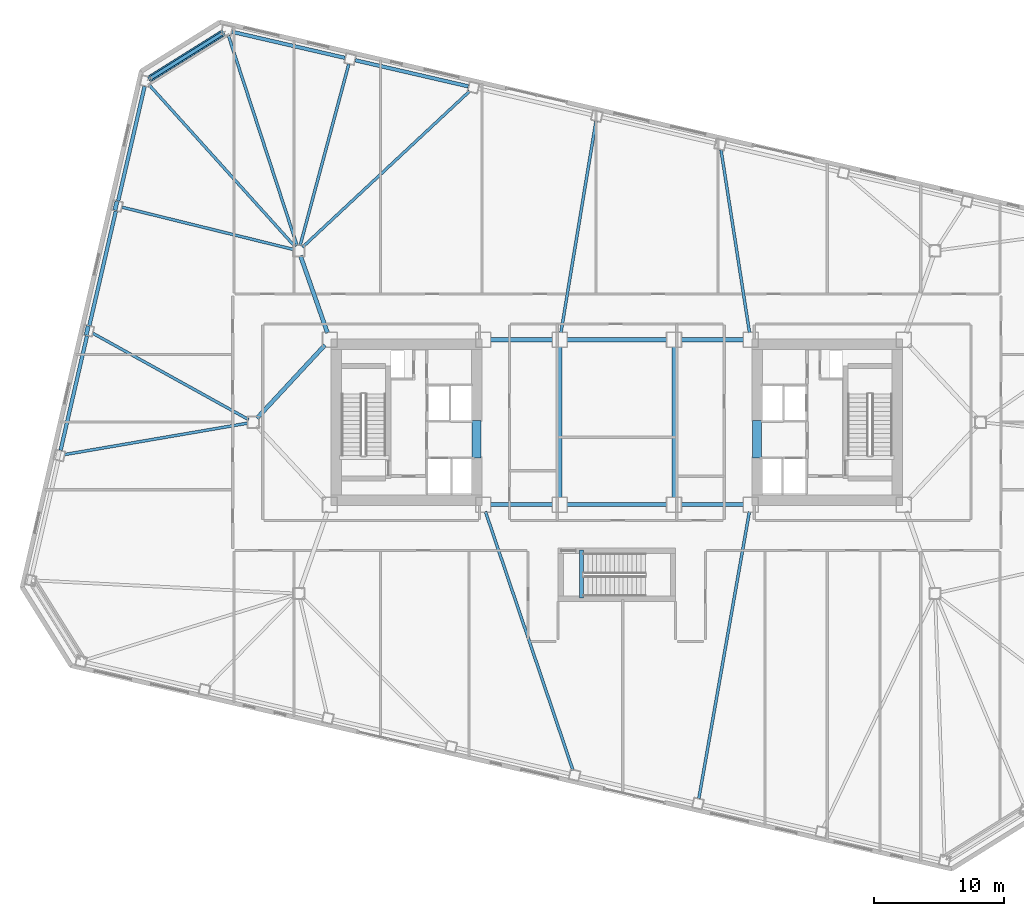
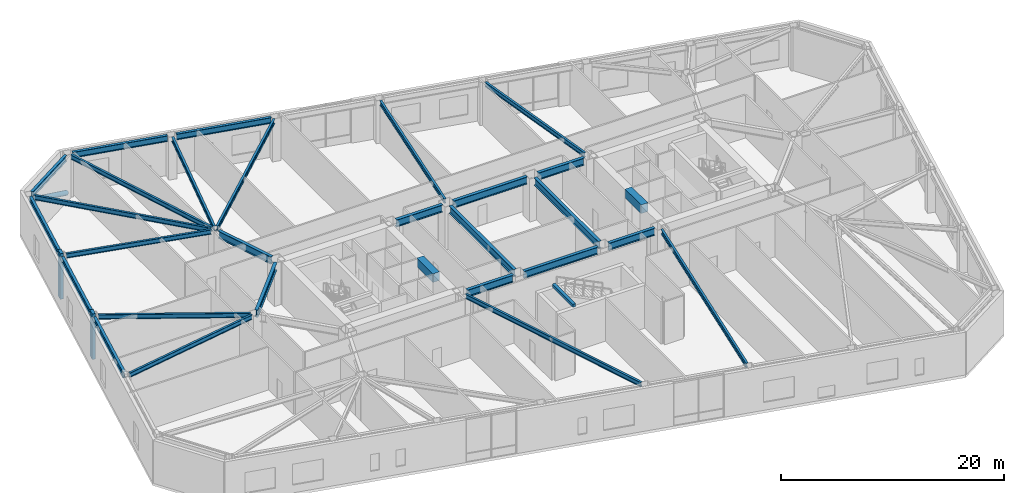
# One storey, part 5 of 20: 30 beams, 3 members.
"""IFC4 building model written with IfcOpenShell, lengths in metres."""

from ifc_helpers import new_model, si_unit, direction, frame, origin, origin_2d, place, context, subcontext, project, spatial, rectangle, hollow_circle, i_section, extrude, material, material_profile, profile_set, type_object, element, save


model = new_model("IFC4")

# Units and contexts
model_context = context("Model", 3, precision=1e-05, world=origin(), true_north=direction((0.0, 1.0)))
body_context = subcontext(model_context, "Body", "Model", "MODEL_VIEW")
ifc_project = project(units=[si_unit("LENGTHUNIT", "METRE"), si_unit("AREAUNIT", "SQUARE_METRE"), si_unit("VOLUMEUNIT", "CUBIC_METRE"), si_unit("PLANEANGLEUNIT", "RADIAN"), si_unit("MASSUNIT", "GRAM", prefix="KILO")], contexts=[model_context])

# Site, building, storey
site_placement = place(None, origin())
site = spatial("IfcSite", under=ifc_project, at=site_placement, CompositionType="ELEMENT")
building_placement = place(site_placement, origin())
building = spatial("IfcBuilding", under=site, at=building_placement, Name="Tavrogorsk Clinical Tower", CompositionType="ELEMENT")
storey_placement = place(building_placement, frame((0.0, 0.0, 13.39990234375)))
storey = spatial("IfcBuildingStorey", under=building, at=storey_placement, Name="L02", CompositionType="ELEMENT", Elevation=13.39990234375)

# Beams
ifc_material_1 = material(Name="Concrete B80", Category="concrete")
ifc_material_profile_1 = material_profile(ifc_material_1, rectangle(XDim=0.699951171875, YDim=0.949951171875, at=origin_2d()), Name="RC-CB-700x950")
ifc_profile_set_1 = profile_set([ifc_material_profile_1], Name="Concrete B80")
beam_type_1 = type_object("IfcBeamType", Name="CouplingBeam_RC700x950", PredefinedType="LINTEL", material=ifc_profile_set_1)
for number, where, z_axis, x_axis, name in (
    (1, (-10.800048828125, -2.75, 4.22509765625), (0.0, 1.0, 0.0), (-1.0, 0.0, 0.0), "L02 Core West Coupling Beam"),
    (2, (10.800048828125, -2.75, 4.22509765625), (0.0, 1.0, 0.0), (-1.0, 0.0, 0.0), "L02 Core East Coupling Beam"),
):
    element("IfcBeam", number, at=place(storey_placement, frame(where, z_axis=z_axis, x_axis=x_axis)), inside=storey, type_object=beam_type_1, Name=name, PredefinedType="LINTEL", context=body_context, shape_type="SweptSolid", body=[
        extrude(rectangle(XDim=0.699951171875, YDim=0.949951171875, at=origin_2d()), origin(), (0.0, 0.0, 1.0), 2.89990234375),
    ])

# Member
ifc_material_2 = material(Name="Structural steel S440", Category="steel")
ifc_material_profile_2 = material_profile(ifc_material_2, hollow_circle(Radius=0.25390625, WallThickness=0.02001953125, at=origin_2d()), Name="CHS-508x20")
ifc_profile_set_2 = profile_set([ifc_material_profile_2], Name="Structural steel S440")
member_type_1 = type_object("IfcMemberType", Name="ExoBrace_CHS508", PredefinedType="BRACE", material=ifc_profile_set_2)
member_placement = place(storey_placement, frame((-30.348876953125, 29.96337890625, 0.4833984375), z_axis=(-0.757567326236, -0.473364357029, 0.449464049413), x_axis=(0.529906183758, -0.848056269604, 0.0)))
element("IfcMember", 3, at=member_placement, inside=storey, type_object=member_type_1, Name="L02 Corner Exoskeleton Brace N8-W1", PredefinedType="BRACE", context=body_context, shape_type="SweptSolid", body=[
    extrude(hollow_circle(Radius=0.25390625, WallThickness=0.02001953125, at=origin_2d()), origin(), (0.0, 0.0, 1.0), 7.416015625),
])

# Beams
ifc_material_3 = material(Name="Structural steel S355", Category="steel")
ifc_material_profile_3 = material_profile(ifc_material_3, i_section(OverallWidth=0.219970703125, OverallDepth=0.5, WebThickness=0.012939453125, FlangeThickness=0.02001953125, at=origin_2d()), Name="B-500x220x13x20")
ifc_profile_set_3 = profile_set([ifc_material_profile_3], Name="Structural steel S355")
beam_type_2 = type_object("IfcBeamType", Name="FloorBeam_B500", PredefinedType="BEAM", material=ifc_profile_set_3)
beam_1_placement = place(storey_placement, frame((-10.12060546875, -6.88037109375, 4.4501953125), z_axis=(0.320354062285, -0.947297880699, 0.0), x_axis=(0.947297880699, 0.320354062285, 0.0)))
element("IfcBeam", 4, at=beam_1_placement, inside=storey, type_object=beam_type_2, Name="L02 Radial Floor Beam S5", PredefinedType="BEAM", context=body_context, shape_type="SweptSolid", body=[
    extrude(i_section(OverallWidth=0.219970703125, OverallDepth=0.5, WebThickness=0.012939453125, FlangeThickness=0.02001953125, at=origin_2d()), origin(), (0.0, 0.0, 1.0), 21.0185546875),
])
beam_2_placement = place(storey_placement, frame((10.202880859375, -6.901611328125, 4.4501953125), z_axis=(-0.173586433417, -0.984818638194, 0.0), x_axis=(0.984818638194, -0.173586433417, 0.0)))
element("IfcBeam", 5, at=beam_2_placement, inside=storey, type_object=beam_type_2, Name="L02 Radial Floor Beam S6", PredefinedType="BEAM", context=body_context, shape_type="SweptSolid", body=[
    extrude(i_section(OverallWidth=0.219970703125, OverallDepth=0.5, WebThickness=0.012939453125, FlangeThickness=0.02001953125, at=origin_2d()), origin(), (0.0, 0.0, 1.0), 22.407470703125),
])
beam_3_placement = place(storey_placement, frame((10.213623046875, 6.9033203125, 4.4501953125), z_axis=(-0.154089917001, 0.988056829073, 0.0), x_axis=(-0.988056829073, -0.154089917001, 0.0)))
element("IfcBeam", 6, at=beam_3_placement, inside=storey, type_object=beam_type_2, Name="L02 Radial Floor Beam N4", PredefinedType="BEAM", context=body_context, shape_type="SweptSolid", body=[
    extrude(i_section(OverallWidth=0.219970703125, OverallDepth=0.5, WebThickness=0.012939453125, FlangeThickness=0.02001953125, at=origin_2d()), origin(), (0.0, 0.0, 1.0), 14.24853515625),
])
beam_4_placement = place(storey_placement, frame((-4.308349609375, 6.90234375, 4.4501953125), z_axis=(0.163563683006, 0.986532777763, 0.0), x_axis=(-0.986532777763, 0.163563683006, 0.0)))
element("IfcBeam", 7, at=beam_4_placement, inside=storey, type_object=beam_type_2, Name="L02 Radial Floor Beam N5", PredefinedType="BEAM", context=body_context, shape_type="SweptSolid", body=[
    extrude(i_section(OverallWidth=0.219970703125, OverallDepth=0.5, WebThickness=0.012939453125, FlangeThickness=0.02001953125, at=origin_2d()), origin(), (0.0, 0.0, 1.0), 16.4951171875),
])
beam_5_placement = place(storey_placement, frame((-24.200439453125, 13.47998046875, 4.4501953125), z_axis=(0.730781163302, 0.682611816015, 0.0), x_axis=(-0.682611816015, 0.730781163302, 0.0)))
element("IfcBeam", 8, at=beam_5_placement, inside=storey, type_object=beam_type_2, Name="L02 Radial Floor Beam N6", PredefinedType="BEAM", context=body_context, shape_type="SweptSolid", body=[
    extrude(i_section(OverallWidth=0.219970703125, OverallDepth=0.5, WebThickness=0.012939453125, FlangeThickness=0.02001953125, at=origin_2d()), origin(), (0.0, 0.0, 1.0), 17.597412109375),
])
beam_6_placement = place(storey_placement, frame((-24.393798828125, 13.595947265625, 4.4501953125), z_axis=(0.25900262632, 0.965876617151, 0.0), x_axis=(-0.965876617151, 0.25900262632, 0.0)))
element("IfcBeam", 9, at=beam_6_placement, inside=storey, type_object=beam_type_2, Name="L02 Radial Floor Beam N7", PredefinedType="BEAM", context=body_context, shape_type="SweptSolid", body=[
    extrude(i_section(OverallWidth=0.219970703125, OverallDepth=0.5, WebThickness=0.012939453125, FlangeThickness=0.02001953125, at=origin_2d()), origin(), (0.0, 0.0, 1.0), 14.46728515625),
])
beam_7_placement = place(storey_placement, frame((-24.62744140625, 13.58984375, 4.4501953125), z_axis=(-0.310546210819, 0.950558283824, 0.0), x_axis=(-0.950558283824, -0.310546210819, 0.0)))
element("IfcBeam", 10, at=beam_7_placement, inside=storey, type_object=beam_type_2, Name="L02 Radial Floor Beam N8", PredefinedType="BEAM", context=body_context, shape_type="SweptSolid", body=[
    extrude(i_section(OverallWidth=0.219970703125, OverallDepth=0.5, WebThickness=0.012939453125, FlangeThickness=0.02001953125, at=origin_2d()), origin(), (0.0, 0.0, 1.0), 17.0205078125),
])
beam_8_placement = place(storey_placement, frame((-24.774658203125, 13.50439453125, 4.4501953125), z_axis=(-0.669660294237, 0.742667550337, 0.0), x_axis=(-0.742667550337, -0.669660294237, 0.0)))
element("IfcBeam", 11, at=beam_8_placement, inside=storey, type_object=beam_type_2, Name="L02 Radial Floor Beam W1", PredefinedType="BEAM", context=body_context, shape_type="SweptSolid", body=[
    extrude(i_section(OverallWidth=0.219970703125, OverallDepth=0.5, WebThickness=0.012939453125, FlangeThickness=0.02001953125, at=origin_2d()), origin(), (0.0, 0.0, 1.0), 16.76708984375),
])
beam_9_placement = place(storey_placement, frame((-24.89794921875, 13.298095703125, 4.4501953125), z_axis=(-0.970889910259, 0.23952616174, 0.0), x_axis=(-0.23952616174, -0.970889910259, 0.0)))
element("IfcBeam", 12, at=beam_9_placement, inside=storey, type_object=beam_type_2, Name="L02 Radial Floor Beam W2", PredefinedType="BEAM", context=body_context, shape_type="SweptSolid", body=[
    extrude(i_section(OverallWidth=0.219970703125, OverallDepth=0.5, WebThickness=0.012939453125, FlangeThickness=0.02001953125, at=origin_2d()), origin(), (0.0, 0.0, 1.0), 13.595947265625),
])
beam_10_placement = place(storey_placement, frame((-28.358642578125, 0.19873046875, 4.4501953125), z_axis=(-0.874654711976, 0.484746464472, 0.0), x_axis=(-0.484746464472, -0.874654711976, 0.0)))
element("IfcBeam", 13, at=beam_10_placement, inside=storey, type_object=beam_type_2, Name="L02 Radial Floor Beam W3", PredefinedType="BEAM", context=body_context, shape_type="SweptSolid", body=[
    extrude(i_section(OverallWidth=0.219970703125, OverallDepth=0.5, WebThickness=0.012939453125, FlangeThickness=0.02001953125, at=origin_2d()), origin(), (0.0, 0.0, 1.0), 13.7158203125),
])
beam_11_placement = place(storey_placement, frame((-28.404052734375, -0.0693359375, 4.4501953125), z_axis=(-0.985592408786, -0.169137824698, 0.0), x_axis=(0.169137824698, -0.985592408786, 0.0)))
element("IfcBeam", 14, at=beam_11_placement, inside=storey, type_object=beam_type_2, Name="L02 Radial Floor Beam W4", PredefinedType="BEAM", context=body_context, shape_type="SweptSolid", body=[
    extrude(i_section(OverallWidth=0.219970703125, OverallDepth=0.5, WebThickness=0.012939453125, FlangeThickness=0.02001953125, at=origin_2d()), origin(), (0.0, 0.0, 1.0), 14.33056640625),
])

# Members
ifc_material_4 = material(Name="Precast concrete B45 with limestone cladding", Category="masonry")
ifc_material_profile_4 = material_profile(ifc_material_4, rectangle(XDim=0.320068359375, YDim=0.719970703125, at=origin_2d()), Name="LIMESTONE-FIN-320x720")
ifc_profile_set_4 = profile_set([ifc_material_profile_4], Name="Precast concrete B45 with limestone cladding")
member_type_2 = type_object("IfcMemberType", Name="LimestonePleatFin_320x720", PredefinedType="USERDEFINED", material=ifc_profile_set_4)
for number, where, z_axis, x_axis, name in (
    (15, (-38.572265625, 16.67041015625, 0.0), (0.0, 0.0, 1.0), (0.974370064785, -0.224951054344, 0.0), "L02 W Pleated Stone Fin 1"),
    (16, (-40.7900390625, 7.06298828125, 0.0), (0.0, 0.0, 1.0), (0.974370064785, -0.224951054344, 0.0), "L02 W Pleated Stone Fin 2"),
):
    element("IfcMember", number, at=place(storey_placement, frame(where, z_axis=z_axis, x_axis=x_axis)), inside=storey, type_object=member_type_2, Name=name, ObjectType="FIN", PredefinedType="USERDEFINED", context=body_context, shape_type="SweptSolid", body=[
        extrude(rectangle(XDim=0.320068359375, YDim=0.719970703125, at=origin_2d()), origin(), (0.0, 0.0, 1.0), 5.0),
    ])

# Beams
ifc_material_5 = material(Name="Structural steel S390", Category="steel")
ifc_material_profile_5 = material_profile(ifc_material_5, i_section(OverallWidth=0.320068359375, OverallDepth=0.800048828125, WebThickness=0.02001953125, FlangeThickness=0.033935546875, at=origin_2d()), Name="B-800x320x20x34")
ifc_profile_set_5 = profile_set([ifc_material_profile_5], Name="Structural steel S390")
beam_type_3 = type_object("IfcBeamType", Name="PrimaryGirder_B800", PredefinedType="USERDEFINED", material=ifc_profile_set_5)
for number, where, z_axis, x_axis, name in (
    (17, (-9.739990234375, -6.35009765625, 4.300048828125), (1.0, 0.0, 0.0), (0.0, 1.0, 0.0), "L02 Primary Spine Girder MG-01"),
    (18, (-9.739990234375, 6.35009765625, 4.300048828125), (1.0, 0.0, 0.0), (0.0, 1.0, 0.0), "L02 Primary Spine Girder MG-02"),
):
    element("IfcBeam", number, at=place(storey_placement, frame(where, z_axis=z_axis, x_axis=x_axis)), inside=storey, type_object=beam_type_3, Name=name, ObjectType="GIRDER", PredefinedType="USERDEFINED", context=body_context, shape_type="SweptSolid", body=[
        extrude(i_section(OverallWidth=0.320068359375, OverallDepth=0.800048828125, WebThickness=0.02001953125, FlangeThickness=0.033935546875, at=origin_2d()), origin(), (0.0, 0.0, 1.0), 4.780029296875),
    ])
for number, where, z_axis, x_axis, name in (
    (19, (-3.840087890625, -6.35009765625, 4.300048828125), (1.0, 0.0, 0.0), (0.0, 1.0, 0.0), "L02 Primary Spine Girder MG-03"),
    (20, (-3.840087890625, 6.35009765625, 4.300048828125), (1.0, 0.0, 0.0), (0.0, 1.0, 0.0), "L02 Primary Spine Girder MG-04"),
):
    element("IfcBeam", number, at=place(storey_placement, frame(where, z_axis=z_axis, x_axis=x_axis)), inside=storey, type_object=beam_type_3, Name=name, ObjectType="GIRDER", PredefinedType="USERDEFINED", context=body_context, shape_type="SweptSolid", body=[
        extrude(i_section(OverallWidth=0.320068359375, OverallDepth=0.800048828125, WebThickness=0.02001953125, FlangeThickness=0.033935546875, at=origin_2d()), origin(), (0.0, 0.0, 1.0), 7.68017578125),
    ])
for number, where, z_axis, x_axis, name in (
    (21, (4.9599609375, -6.35009765625, 4.300048828125), (1.0, 0.0, 0.0), (0.0, 1.0, 0.0), "L02 Primary Spine Girder MG-05"),
    (22, (4.9599609375, 6.35009765625, 4.300048828125), (1.0, 0.0, 0.0), (0.0, 1.0, 0.0), "L02 Primary Spine Girder MG-06"),
):
    element("IfcBeam", number, at=place(storey_placement, frame(where, z_axis=z_axis, x_axis=x_axis)), inside=storey, type_object=beam_type_3, Name=name, ObjectType="GIRDER", PredefinedType="USERDEFINED", context=body_context, shape_type="SweptSolid", body=[
        extrude(i_section(OverallWidth=0.320068359375, OverallDepth=0.800048828125, WebThickness=0.02001953125, FlangeThickness=0.033935546875, at=origin_2d()), origin(), (0.0, 0.0, 1.0), 4.780029296875),
    ])
for number, where, z_axis, x_axis, name in (
    (23, (-4.39990234375, -5.7900390625, 4.300048828125), (0.0, 1.0, 0.0), (-1.0, 0.0, 0.0), "L02 Primary Spine Girder MG-07"),
    (24, (4.39990234375, -5.7900390625, 4.300048828125), (0.0, 1.0, 0.0), (-1.0, 0.0, 0.0), "L02 Primary Spine Girder MG-08"),
):
    element("IfcBeam", number, at=place(storey_placement, frame(where, z_axis=z_axis, x_axis=x_axis)), inside=storey, type_object=beam_type_3, Name=name, ObjectType="GIRDER", PredefinedType="USERDEFINED", context=body_context, shape_type="SweptSolid", body=[
        extrude(i_section(OverallWidth=0.320068359375, OverallDepth=0.800048828125, WebThickness=0.02001953125, FlangeThickness=0.033935546875, at=origin_2d()), origin(), (0.0, 0.0, 1.0), 11.580078125),
    ])
beam_12_placement = place(storey_placement, frame((-24.364501953125, 12.81298828125, 4.300048828125), z_axis=(0.330668611543, -0.943746930771, 0.0), x_axis=(0.943746930771, 0.330668611543, 0.0)))
element("IfcBeam", 25, at=beam_12_placement, inside=storey, type_object=beam_type_3, Name="L02 Spine Link Girder OPG-3", ObjectType="GIRDER", PredefinedType="USERDEFINED", context=body_context, shape_type="SweptSolid", body=[
    extrude(i_section(OverallWidth=0.320068359375, OverallDepth=0.800048828125, WebThickness=0.02001953125, FlangeThickness=0.033935546875, at=origin_2d()), origin(), (0.0, 0.0, 1.0), 6.288330078125),
])
beam_13_placement = place(storey_placement, frame((-27.720947265625, 0.30029296875, 4.300048828125), z_axis=(0.680671250221, 0.732589004233, 0.0), x_axis=(-0.732589004233, 0.680671250221, 0.0)))
element("IfcBeam", 26, at=beam_13_placement, inside=storey, type_object=beam_type_3, Name="L02 Spine Link Girder OPG-6", ObjectType="GIRDER", PredefinedType="USERDEFINED", context=body_context, shape_type="SweptSolid", body=[
    extrude(i_section(OverallWidth=0.320068359375, OverallDepth=0.800048828125, WebThickness=0.02001953125, FlangeThickness=0.033935546875, at=origin_2d()), origin(), (0.0, 0.0, 1.0), 7.697998046875),
])
ifc_material_6 = material(Name="Structural steel S390", Category="steel")
ifc_material_profile_6 = material_profile(ifc_material_6, i_section(OverallWidth=0.280029296875, OverallDepth=0.64990234375, WebThickness=0.01611328125, FlangeThickness=0.02490234375, at=origin_2d()), Name="B-650x280x16x25")
ifc_profile_set_6 = profile_set([ifc_material_profile_6], Name="Structural steel S390")
beam_type_4 = type_object("IfcBeamType", Name="SpandrelBeam_B650", PredefinedType="SPANDREL", material=ifc_profile_set_6)
for number, where, z_axis, x_axis, name in (
    (27, (-11.43994140625, 25.862548828125, 4.375), (-0.974372766602, 0.224939351168, 0.0), (-0.224939351168, -0.974372766602, 0.0), "L02 Perimeter Spandrel N6-N7"),
    (28, (-20.9384765625, 28.055419921875, 4.375), (-0.974366775889, 0.224965299645, 0.0), (-0.224965299645, -0.974366775889, 0.0), "L02 Perimeter Spandrel N7-N8"),
):
    element("IfcBeam", number, at=place(storey_placement, frame(where, z_axis=z_axis, x_axis=x_axis)), inside=storey, type_object=beam_type_4, Name=name, PredefinedType="SPANDREL", context=body_context, shape_type="SweptSolid", body=[
        extrude(i_section(OverallWidth=0.280029296875, OverallDepth=0.64990234375, WebThickness=0.01611328125, FlangeThickness=0.02490234375, at=origin_2d()), origin(), (0.0, 0.0, 1.0), 8.9326171875),
    ])
beam_14_placement = place(storey_placement, frame((-30.3857421875, 29.9404296875, 4.375), z_axis=(-0.848044454239, -0.529925092475, 0.0), x_axis=(0.529925092475, -0.848044454239, 0.0)))
element("IfcBeam", 29, at=beam_14_placement, inside=storey, type_object=beam_type_4, Name="L02 Perimeter Spandrel N8-W1", PredefinedType="SPANDREL", context=body_context, shape_type="SweptSolid", body=[
    extrude(i_section(OverallWidth=0.280029296875, OverallDepth=0.64990234375, WebThickness=0.01611328125, FlangeThickness=0.02490234375, at=origin_2d()), origin(), (0.0, 0.0, 1.0), 6.537841796875),
])
beam_15_placement = place(storey_placement, frame((-36.367919921875, 25.862060546875, 4.375), z_axis=(-0.224952169462, -0.974369807339, 0.0), x_axis=(0.974369807339, -0.224952169462, 0.0)))
element("IfcBeam", 30, at=beam_15_placement, inside=storey, type_object=beam_type_4, Name="L02 Perimeter Spandrel W1-W2", PredefinedType="SPANDREL", context=body_context, shape_type="SweptSolid", body=[
    extrude(i_section(OverallWidth=0.280029296875, OverallDepth=0.64990234375, WebThickness=0.01611328125, FlangeThickness=0.02490234375, at=origin_2d()), origin(), (0.0, 0.0, 1.0), 9.043701171875),
])
beam_16_placement = place(storey_placement, frame((-38.5859375, 16.2548828125, 4.375), z_axis=(-0.224946252597, -0.974371173343, 0.0), x_axis=(0.974371173343, -0.224946252597, 0.0)))
element("IfcBeam", 31, at=beam_16_placement, inside=storey, type_object=beam_type_4, Name="L02 Perimeter Spandrel W2-W3", PredefinedType="SPANDREL", context=body_context, shape_type="SweptSolid", body=[
    extrude(i_section(OverallWidth=0.280029296875, OverallDepth=0.64990234375, WebThickness=0.01611328125, FlangeThickness=0.02490234375, at=origin_2d()), origin(), (0.0, 0.0, 1.0), 9.0439453125),
])
beam_17_placement = place(storey_placement, frame((-40.803955078125, 6.6474609375, 4.375), z_axis=(-0.224952169462, -0.974369807339, 0.0), x_axis=(0.974369807339, -0.224952169462, 0.0)))
element("IfcBeam", 32, at=beam_17_placement, inside=storey, type_object=beam_type_4, Name="L02 Perimeter Spandrel W3-W4", PredefinedType="SPANDREL", context=body_context, shape_type="SweptSolid", body=[
    extrude(i_section(OverallWidth=0.280029296875, OverallDepth=0.64990234375, WebThickness=0.01611328125, FlangeThickness=0.02490234375, at=origin_2d()), origin(), (0.0, 0.0, 1.0), 9.043701171875),
])
ifc_material_7 = material(Name="Concrete B60", Category="concrete")
ifc_material_profile_7 = material_profile(ifc_material_7, rectangle(XDim=0.300048828125, YDim=0.35009765625, at=origin_2d()), Name="RC-SHB-300x350")
ifc_profile_set_7 = profile_set([ifc_material_profile_7], Name="Concrete B60")
beam_type_5 = type_object("IfcBeamType", Name="StairHeaderBeam_RC300x350", PredefinedType="BEAM", material=ifc_profile_set_7)
beam_18_placement = place(storey_placement, frame((-2.719970703125, -13.550048828125, 4.8251953125), z_axis=(0.0, 1.0, 0.0), x_axis=(-1.0, 0.0, 0.0)))
element("IfcBeam", 33, at=beam_18_placement, inside=storey, type_object=beam_type_5, Name="L03 ST-P Landing Header Beam", PredefinedType="BEAM", context=body_context, shape_type="SweptSolid", body=[
    extrude(rectangle(XDim=0.300048828125, YDim=0.35009765625, at=origin_2d()), origin(), (0.0, 0.0, 1.0), 3.699951171875),
])

save(model, "model.ifc")
